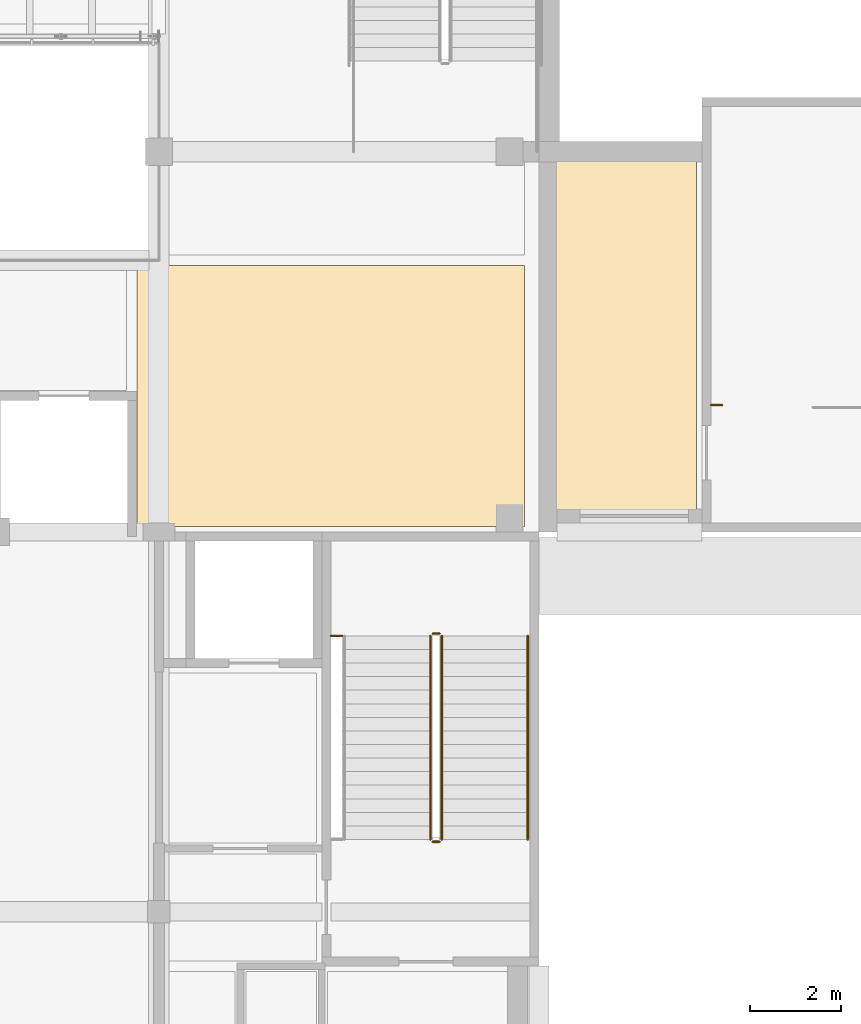
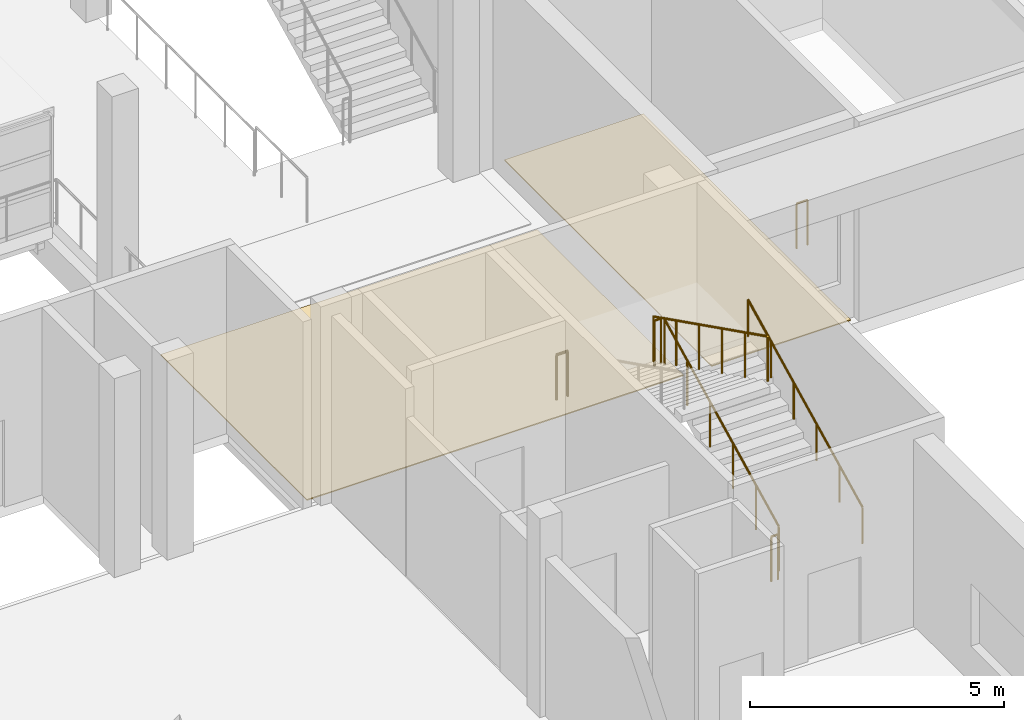
# One storey, part 71 of 86: 7 railings, 2 coverings.
"""IFC4 building model written with IfcOpenShell, lengths in metres."""

from ifc_helpers import new_model, si_unit, direction, frame, origin, origin_2d, place, context, subcontext, project, spatial, polyline, circle, outline, extrude, material, layer, layer_set, type_object, element, save


model = new_model("IFC4")

# Units and contexts
model_context = context("Model", 3, precision=1e-05, world=origin(), true_north=direction((0.0, 1.0)))
body_context = subcontext(model_context, "Body", "Model", "MODEL_VIEW")
ifc_project = project(units=[si_unit("LENGTHUNIT", "METRE"), si_unit("AREAUNIT", "SQUARE_METRE"), si_unit("VOLUMEUNIT", "CUBIC_METRE"), si_unit("PLANEANGLEUNIT", "RADIAN"), si_unit("MASSUNIT", "GRAM", prefix="KILO")], contexts=[model_context])

# Site, building, storey
site_placement = place(None, origin())
site = spatial("IfcSite", under=ifc_project, at=site_placement, CompositionType="ELEMENT")
building_placement = place(site_placement, origin())
building = spatial("IfcBuilding", under=site, at=building_placement, Name="Kiln Court Media Centre", CompositionType="ELEMENT")
storey_placement = place(building_placement, frame((0.0, 0.0, 10.199951171875)))
storey = spatial("IfcBuildingStorey", under=building, at=storey_placement, Name="L02", CompositionType="ELEMENT", Elevation=10.199951171875)

# Coverings
ifc_material_1 = material(Name="Terrazzo")
ifc_layer = layer(ifc_material_1, 0.02490234375)
ifc_layer_set = layer_set([ifc_layer], Name="Polished terrazzo floor finish 25")
covering_type = type_object("IfcCoveringType", Name="Polished terrazzo floor finish 25", PredefinedType="FLOORING", material=ifc_layer_set)
covering_1_placement = place(storey_placement, origin())
element("IfcCovering", 1, at=covering_1_placement, inside=storey, type_object=covering_type, Name="South Gallery East floor finish", PredefinedType="FLOORING", context=body_context, shape_type="SweptSolid", body=[
    extrude(outline(polyline([(49.919921875, 25.320068359375), (58.47998046875, 25.320068359375), (58.47998046875, 31.080078125), (49.919921875, 31.080078125), (49.919921875, 25.320068359375)])), origin(), (0.0, 0.0, 1.0), 0.025146484375),
])
covering_2_placement = place(storey_placement, origin())
element("IfcCovering", 2, at=covering_2_placement, inside=storey, type_object=covering_type, Name="Foyer Link floor finish", PredefinedType="FLOORING", context=body_context, shape_type="SweptSolid", body=[
    extrude(outline(polyline([(62.280029296875, 33.47998046875), (59.1201171875, 33.47998046875), (59.1201171875, 25.320068359375), (62.280029296875, 25.320068359375), (62.280029296875, 33.47998046875)])), origin(), (0.0, 0.0, 1.0), 0.025146484375),
])

# Railings
ifc_material_2 = material(Name="Steel S275", Category="steel")
railing_type_1 = type_object("IfcRailingType", Name="Steel S275 stair guard 1100", PredefinedType="GUARDRAIL", material=ifc_material_2)
railing_1_placement = place(storey_placement, frame((56.64990234375, 18.39990234375, 0.150146484375)))
element("IfcRailing", 3, at=railing_1_placement, inside=storey, type_object=railing_type_1, Name="ST-05 stair guard", PredefinedType="GUARDRAIL", context=body_context, shape_type="SweptSolid", body=[
    extrude(circle(Radius=0.02392578125, at=origin_2d()), frame((0.0, 0.0, 1.076171875), z_axis=(0.0, 0.894427191, 0.4472135955), x_axis=(-1.0, 0.0, 0.0)), (0.0, 0.0, 1.0), 5.03125),
    extrude(circle(Radius=0.02099609375, at=origin_2d()), origin(), (0.0, 0.0, 1.0), 1.052001953125),
    extrude(circle(Radius=0.02099609375, at=origin_2d()), frame((0.0, 0.89990234375, 0.449951171875)), (0.0, 0.0, 1.0), 1.052001953125),
    extrude(circle(Radius=0.02099609375, at=origin_2d()), frame((0.0, 1.800048828125, 0.89990234375)), (0.0, 0.0, 1.0), 1.052001953125),
    extrude(circle(Radius=0.02099609375, at=origin_2d()), frame((0.0, 2.699951171875, 1.35009765625)), (0.0, 0.0, 1.0), 1.052001953125),
    extrude(circle(Radius=0.02099609375, at=origin_2d()), frame((0.0, 3.60009765625, 1.800048828125)), (0.0, 0.0, 1.0), 1.052001953125),
    extrude(circle(Radius=0.02099609375, at=origin_2d()), frame((0.0, 4.5, 2.25)), (0.0, 0.0, 1.0), 1.052001953125),
])
railing_2_placement = place(storey_placement, frame((56.60009765625, 22.949951171875, 2.400146484375)))
element("IfcRailing", 4, at=railing_2_placement, inside=storey, type_object=railing_type_1, Name="ST-05 stair guard", PredefinedType="GUARDRAIL", context=body_context, shape_type="SweptSolid", body=[
    extrude(circle(Radius=0.02392578125, at=origin_2d()), frame((0.0, 0.0, 1.076171875), z_axis=(-1.0, 0.0, 0.0), x_axis=(0.0, -1.0, 0.0)), (0.0, 0.0, 1.0), 0.150146484375),
    extrude(circle(Radius=0.02099609375, at=origin_2d()), origin(), (0.0, 0.0, 1.0), 1.052001953125),
    extrude(circle(Radius=0.02099609375, at=origin_2d()), frame((-0.150146484375, 0.0, 0.0)), (0.0, 0.0, 1.0), 1.052001953125),
])
railing_3_placement = place(storey_placement, frame((56.39990234375, 22.89990234375, 2.550048828125)))
element("IfcRailing", 5, at=railing_3_placement, inside=storey, type_object=railing_type_1, Name="ST-05 stair guard", PredefinedType="GUARDRAIL", context=body_context, shape_type="SweptSolid", body=[
    extrude(circle(Radius=0.02392578125, at=origin_2d()), frame((0.0, 0.0, 1.076171875), z_axis=(0.0, -0.894427191, 0.4472135955), x_axis=(1.0, 0.0, 0.0)), (0.0, 0.0, 1.0), 5.03125),
    extrude(circle(Radius=0.02099609375, at=origin_2d()), origin(), (0.0, 0.0, 1.0), 1.052001953125),
    extrude(circle(Radius=0.02099609375, at=origin_2d()), frame((0.0, -0.89990234375, 0.449951171875)), (0.0, 0.0, 1.0), 1.052001953125),
    extrude(circle(Radius=0.02099609375, at=origin_2d()), frame((0.0, -1.800048828125, 0.89990234375)), (0.0, 0.0, 1.0), 1.052001953125),
    extrude(circle(Radius=0.02099609375, at=origin_2d()), frame((0.0, -2.699951171875, 1.35009765625)), (0.0, 0.0, 1.0), 1.052001953125),
    extrude(circle(Radius=0.02099609375, at=origin_2d()), frame((0.0, -3.60009765625, 1.800048828125)), (0.0, 0.0, 1.0), 1.052001953125),
    extrude(circle(Radius=0.02099609375, at=origin_2d()), frame((0.0, -4.5, 2.25)), (0.0, 0.0, 1.0), 1.052001953125),
])
railing_4_placement = place(storey_placement, frame((56.60009765625, 18.35009765625, 0.0)))
element("IfcRailing", 6, at=railing_4_placement, inside=storey, type_object=railing_type_1, Name="ST-05 stair guard", PredefinedType="GUARDRAIL", context=body_context, shape_type="SweptSolid", body=[
    extrude(circle(Radius=0.02392578125, at=origin_2d()), frame((0.0, 0.0, 1.076171875), z_axis=(-1.0, 0.0, 0.0), x_axis=(0.0, -1.0, 0.0)), (0.0, 0.0, 1.0), 0.150146484375),
    extrude(circle(Radius=0.02099609375, at=origin_2d()), origin(), (0.0, 0.0, 1.0), 1.052001953125),
    extrude(circle(Radius=0.02099609375, at=origin_2d()), frame((-0.150146484375, 0.0, 0.0)), (0.0, 0.0, 1.0), 1.052001953125),
])
for number, where, name in (
    (7, (54.449951171875, 22.89990234375, 2.400146484375), "ST-05 landing edge guard"),
    (8, (62.85009765625, 28.0, 0.0), "ST-09 landing edge guard"),
):
    element("IfcRailing", number, at=place(storey_placement, frame(where)), inside=storey, type_object=railing_type_1, Name=name, PredefinedType="GUARDRAIL", context=body_context, shape_type="SweptSolid", body=[
        extrude(circle(Radius=0.02392578125, at=origin_2d()), frame((0.0, 0.0, 1.076171875), z_axis=(-1.0, 0.0, 0.0), x_axis=(0.0, -1.0, 0.0)), (0.0, 0.0, 1.0), 0.25),
        extrude(circle(Radius=0.02099609375, at=origin_2d()), origin(), (0.0, 0.0, 1.0), 1.052001953125),
        extrude(circle(Radius=0.02099609375, at=origin_2d()), frame((-0.25, 0.0, 0.0)), (0.0, 0.0, 1.0), 1.052001953125),
    ])
ifc_material_3 = material(Name="Steel S275", Category="steel")
railing_type_2 = type_object("IfcRailingType", Name="Steel S275 stair handrail 900", PredefinedType="HANDRAIL", material=ifc_material_3)
railing_5_placement = place(storey_placement, frame((58.550048828125, 18.39990234375, 0.150146484375)))
element("IfcRailing", 9, at=railing_5_placement, inside=storey, type_object=railing_type_2, Name="ST-05 stair handrail", PredefinedType="HANDRAIL", context=body_context, shape_type="SweptSolid", body=[
    extrude(circle(Radius=0.02392578125, at=origin_2d()), frame((0.0, 0.0, 0.8759765625), z_axis=(0.0, 0.894427191, 0.4472135955), x_axis=(-1.0, 0.0, 0.0)), (0.0, 0.0, 1.0), 5.03125),
    extrude(circle(Radius=0.02099609375, at=origin_2d()), origin(), (0.0, 0.0, 1.0), 0.851806640625),
    extrude(circle(Radius=0.02099609375, at=origin_2d()), frame((0.0, 0.89990234375, 0.449951171875)), (0.0, 0.0, 1.0), 0.851806640625),
    extrude(circle(Radius=0.02099609375, at=origin_2d()), frame((0.0, 1.800048828125, 0.89990234375)), (0.0, 0.0, 1.0), 0.851806640625),
    extrude(circle(Radius=0.02099609375, at=origin_2d()), frame((0.0, 2.699951171875, 1.35009765625)), (0.0, 0.0, 1.0), 0.851806640625),
    extrude(circle(Radius=0.02099609375, at=origin_2d()), frame((0.0, 3.60009765625, 1.800048828125)), (0.0, 0.0, 1.0), 0.851806640625),
    extrude(circle(Radius=0.02099609375, at=origin_2d()), frame((0.0, 4.5, 2.25)), (0.0, 0.0, 1.0), 0.851806640625),
])

save(model, "model.ifc")
